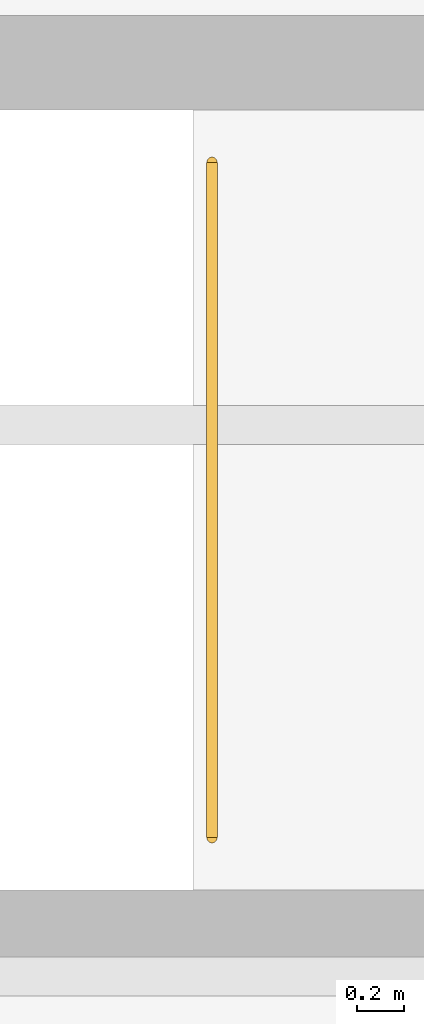
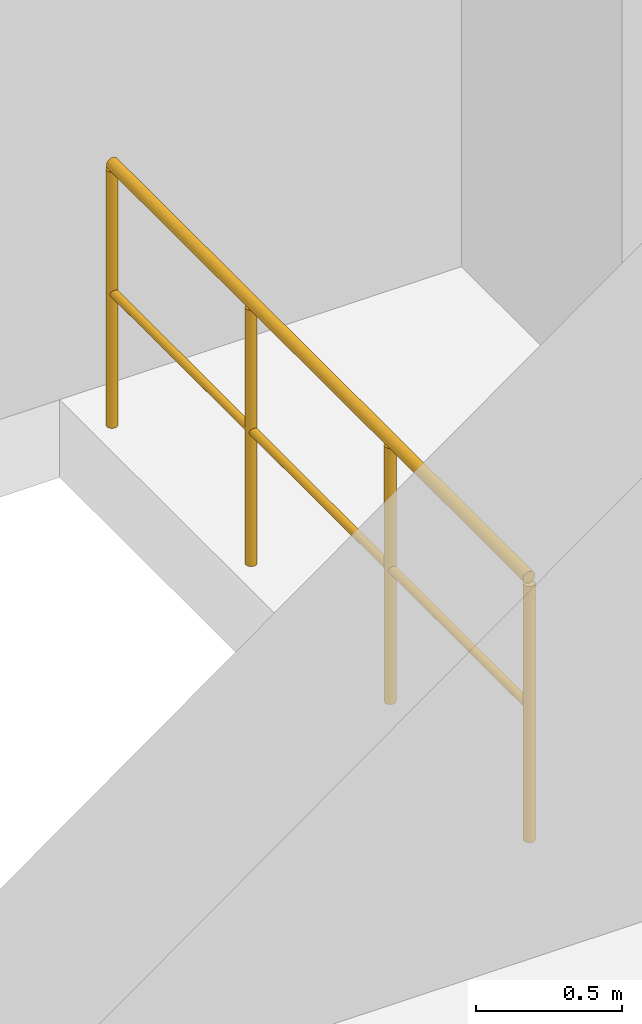
# One storey, part 99 of 99: 1 railing.
"""IFC4 building model written with IfcOpenShell, lengths in metres."""

from ifc_helpers import new_model, si_unit, direction, frame, origin, origin_2d, place, context, subcontext, project, spatial, circle, extrude, material, type_object, element, save


model = new_model("IFC4")

# Units and contexts
model_context = context("Model", 3, precision=1e-05, world=origin(), true_north=direction((0.0, 1.0)))
body_context = subcontext(model_context, "Body", "Model", "MODEL_VIEW")
ifc_project = project(units=[si_unit("LENGTHUNIT", "METRE"), si_unit("AREAUNIT", "SQUARE_METRE"), si_unit("VOLUMEUNIT", "CUBIC_METRE"), si_unit("PLANEANGLEUNIT", "RADIAN"), si_unit("MASSUNIT", "GRAM", prefix="KILO")], contexts=[model_context])

# Site, building, storey
site_placement = place(None, origin())
site = spatial("IfcSite", under=ifc_project, at=site_placement, CompositionType="ELEMENT")
building_placement = place(site_placement, origin())
building = spatial("IfcBuilding", under=site, at=building_placement, Name="Ventoquebrada Cableway Terminal", CompositionType="ELEMENT")
storey_placement = place(building_placement, frame((0.0, 0.0, 9.60009765625)))
storey = spatial("IfcBuildingStorey", under=building, at=storey_placement, Name="L02", CompositionType="ELEMENT", Elevation=9.60009765625)

# Railing
ifc_material = material(Name="Brushed stainless steel Grade 316", Category="steel")
railing_type = type_object("IfcRailingType", Name="RL-GD01", PredefinedType="GUARDRAIL", material=ifc_material)
railing_placement = place(storey_placement, frame((136.239990234375, 97.919921875, 0.0)))
element("IfcRailing", 1, at=railing_placement, inside=storey, type_object=railing_type, Name="Open-edge guardrail GR-E101", PredefinedType="GUARDRAIL", context=body_context, shape_type="SweptSolid", body=[
    extrude(circle(Radius=0.02392578125, at=origin_2d()), frame((0.0, 0.001953125, 1.09619140625), z_axis=(0.0, 1.0, 0.0), x_axis=(-1.0, 0.0, 0.0)), (0.0, 0.0, 1.0), 2.856201171875),
    extrude(circle(Radius=0.01611328125, at=origin_2d()), frame((0.0, 0.001953125, 0.56005859375), z_axis=(0.0, 1.0, 0.0), x_axis=(-1.0, 0.0, 0.0)), (0.0, 0.0, 1.0), 2.856201171875),
    extrude(circle(Radius=0.02099609375, at=origin_2d()), origin(), (0.0, 0.0, 1.0), 1.072021484375),
    extrude(circle(Radius=0.02099609375, at=origin_2d()), frame((0.0, 0.953369140625, 0.0)), (0.0, 0.0, 1.0), 1.072021484375),
    extrude(circle(Radius=0.02099609375, at=origin_2d()), frame((0.0, 1.90673828125, 0.0)), (0.0, 0.0, 1.0), 1.072021484375),
    extrude(circle(Radius=0.02099609375, at=origin_2d()), frame((0.0, 2.860107421875, 0.0)), (0.0, 0.0, 1.0), 1.072021484375),
])

save(model, "model.ifc")
